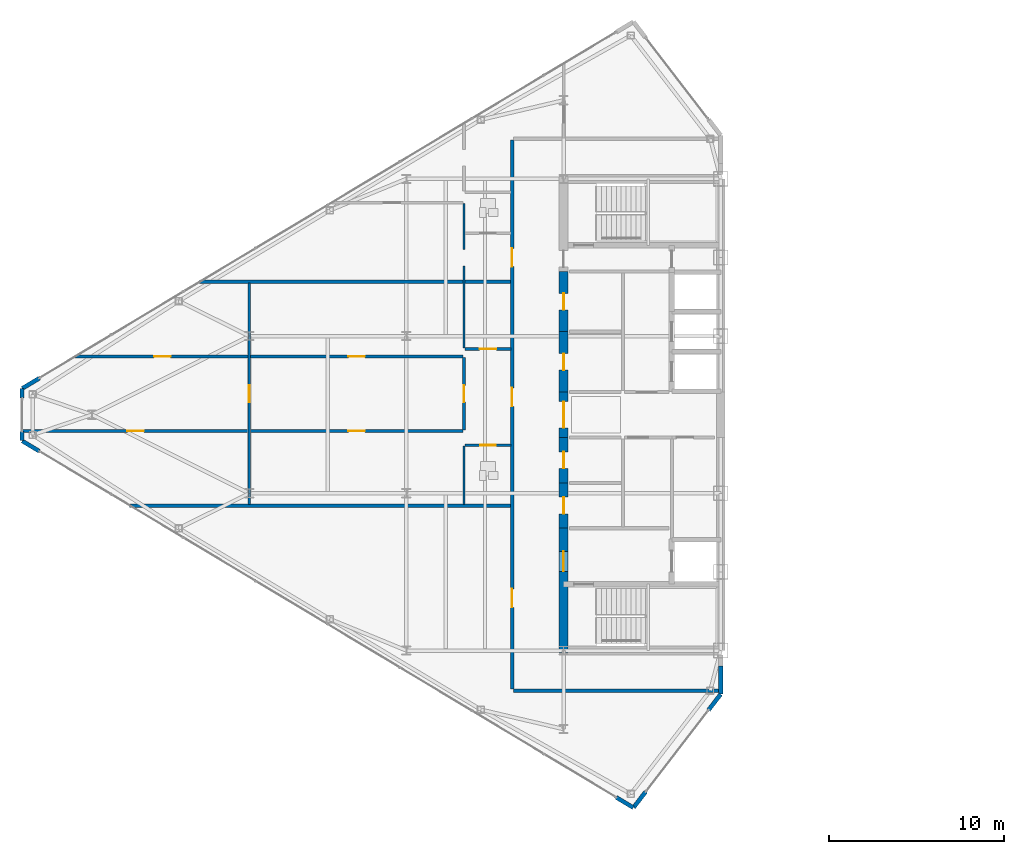
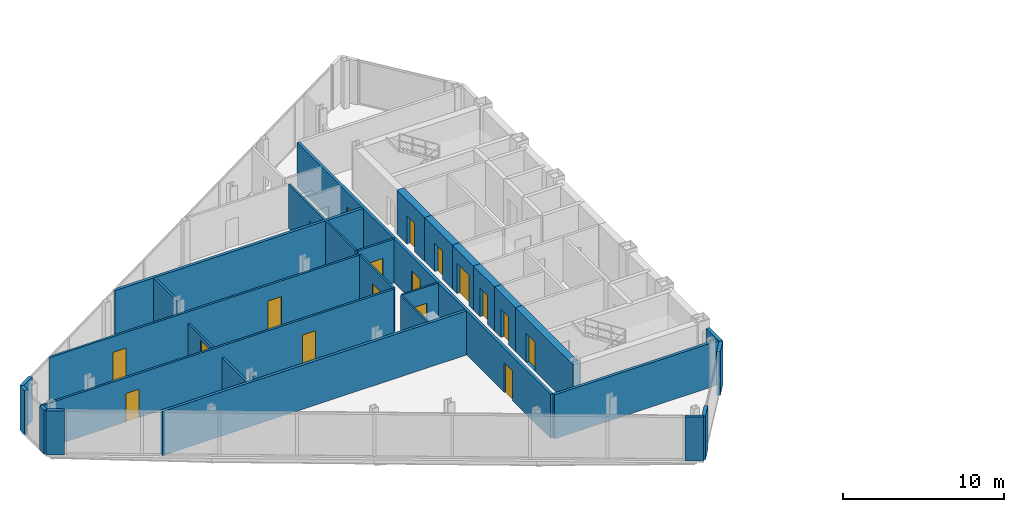
# One storey, part 19 of 26: 28 walls, 17 doors, 18 openings.
"""IFC4 building model written with IfcOpenShell, lengths in metres."""

from ifc_helpers import new_model, si_unit, direction, frame, frame_2d, origin, place, context, subcontext, project, spatial, rectangle, extrude, source, transform, mapped, material, layer, layer_set, type_object, type_shapes, element, fill, save


model = new_model("IFC4")

# Units and contexts
model_context = context("Model", 3, precision=1e-05, world=origin(), true_north=direction((0.0, 1.0)))
body_context = subcontext(model_context, "Body", "Model", "MODEL_VIEW")
ifc_project = project(units=[si_unit("LENGTHUNIT", "METRE"), si_unit("AREAUNIT", "SQUARE_METRE"), si_unit("VOLUMEUNIT", "CUBIC_METRE"), si_unit("PLANEANGLEUNIT", "RADIAN"), si_unit("MASSUNIT", "GRAM", prefix="KILO")], contexts=[model_context])

# Site, building, storey
site_placement = place(None, origin())
site = spatial("IfcSite", under=ifc_project, at=site_placement, CompositionType="ELEMENT")
building_placement = place(site_placement, origin())
building = spatial("IfcBuilding", under=site, at=building_placement, Name="Seokmaru Belvedere", CompositionType="ELEMENT")
storey_placement = place(building_placement, frame((0.0, 0.0, 221.10009765625)))
storey = spatial("IfcBuildingStorey", under=building, at=storey_placement, Name="L59", CompositionType="ELEMENT", Elevation=221.10009765625)

# Wall, openings, doors
ifc_material_1 = material(Name="Fire-Rated Gypsum Shaftwall")
ifc_layer_1 = layer(ifc_material_1, 0.14990234375)
ifc_layer_set_1 = layer_set([ifc_layer_1], Name="Fire-Rated Gypsum Shaftwall")
wall_type_1 = type_object("IfcWallType", Name="Apartment Fire-Acoustic Room Partition 150", PredefinedType="PARTITIONING", material=ifc_layer_set_1)
wall_1_placement = place(storey_placement, frame((-67.534912109375, -0.929931640625, 0.0), z_axis=(0.0, 0.0, 1.0), x_axis=(1.0, 0.0, 0.0)))
wall_1 = element("IfcWall", 1, at=wall_1_placement, inside=storey, type_object=wall_type_1, Name="L59 Interior Partition 008", PredefinedType="PARTITIONING", context=body_context, shape_type="SweptSolid", body=[
    extrude(rectangle(XDim=25.284912109375, YDim=0.14990234375, at=frame_2d((12.642578125, 0.0))), origin(), (0.0, 0.0, 1.0), 3.33984375),
])
opening_1_placement = place(wall_1_placement, frame((18.7099609375, 0.0, 0.0)))
opening_1 = element("IfcOpeningElement", 2, at=opening_1_placement, cuts=wall_1, Name="Opening D05", PredefinedType="OPENING", context=body_context, shape_type="SweptSolid", body=[
    extrude(rectangle(XDim=0.949951171875, YDim=2.14990234375, at=frame_2d((0.47509765625, 1.074951171875))), frame((0.0, 0.0849609375, 0.0), z_axis=(0.0, -1.0, 0.0), x_axis=(1.0, 0.0, 0.0)), (0.0, 0.0, 1.0), 0.169921875),
])
opening_2_placement = place(wall_1_placement, frame((6.06005859375, 0.0, 0.0)))
opening_2 = element("IfcOpeningElement", 3, at=opening_2_placement, cuts=wall_1, Name="Opening D05", PredefinedType="OPENING", context=body_context, shape_type="SweptSolid", body=[
    extrude(rectangle(XDim=0.949951171875, YDim=2.14990234375, at=frame_2d((0.47509765625, 1.074951171875))), frame((0.0, 0.0849609375, 0.0), z_axis=(0.0, -1.0, 0.0), x_axis=(1.0, 0.0, 0.0)), (0.0, 0.0, 1.0), 0.169921875),
])
ifc_material_2 = material(Name="Engineered White Oak Timber", Category="wood")
door_type_1 = type_object("IfcDoorType", Name="Apartment Interior Fire-Rated Oak Door 950x2150", OperationType="NOTDEFINED", PredefinedType="DOOR", material=ifc_material_2)
shared_shape_1 = source(origin(), body_context, "Body", "SweptSolid", [
    extrude(rectangle(XDim=0.949951171875, YDim=2.14990234375, at=frame_2d((0.47509765625, 1.074951171875))), frame((0.0, 0.02490234375, 0.0), z_axis=(0.0, -1.0, 0.0), x_axis=(1.0, 0.0, 0.0)), (0.0, 0.0, 1.0), 0.050048828125),
])
type_shapes(door_type_1, [shared_shape_1])
door_1_placement = place(opening_1_placement, origin())
door_1 = element("IfcDoor", 4, at=door_1_placement, inside=storey, type_object=door_type_1, Name="L59 Interior Door 007", OperationType="SINGLE_SWING_LEFT", OverallHeight=2.14990234375, OverallWidth=0.949951171875, PredefinedType="DOOR", context=body_context, shape_type="MappedRepresentation", body=[
    mapped(shared_shape_1, transform((0.0, 0.0, 0.0), scale=1.0)),
])
fill(opening_1, door_1)
door_2_placement = place(opening_2_placement, origin())
door_2 = element("IfcDoor", 5, at=door_2_placement, inside=storey, type_object=door_type_1, Name="L59 Interior Door 009", OperationType="SINGLE_SWING_RIGHT", OverallHeight=2.14990234375, OverallWidth=0.949951171875, PredefinedType="DOOR", context=body_context, shape_type="MappedRepresentation", body=[
    mapped(shared_shape_1, transform((0.0, 0.0, 0.0), scale=1.0)),
])
fill(opening_2, door_2)

wall_2_placement = place(storey_placement, frame((-64.47998046875, 3.330078125, 0.0), z_axis=(0.0, 0.0, 1.0), x_axis=(1.0, 0.0, 0.0)))
wall_2 = element("IfcWall", 6, at=wall_2_placement, inside=storey, type_object=wall_type_1, Name="L59 Interior Partition 011", PredefinedType="PARTITIONING", context=body_context, shape_type="SweptSolid", body=[
    extrude(rectangle(XDim=22.22998046875, YDim=0.14990234375, at=frame_2d((11.114990234375, 0.0))), origin(), (0.0, 0.0, 1.0), 3.33984375),
])
opening_3_placement = place(wall_2_placement, frame((15.655029296875, 0.0, 0.0)))
opening_3 = element("IfcOpeningElement", 7, at=opening_3_placement, cuts=wall_2, Name="Opening D05", PredefinedType="OPENING", context=body_context, shape_type="SweptSolid", body=[
    extrude(rectangle(XDim=0.949951171875, YDim=2.14990234375, at=frame_2d((0.47509765625, 1.074951171875))), frame((0.0, 0.0849609375, 0.0), z_axis=(0.0, -1.0, 0.0), x_axis=(1.0, 0.0, 0.0)), (0.0, 0.0, 1.0), 0.169921875),
])
opening_4_placement = place(wall_2_placement, frame((4.53271484375, 0.0, 0.0)))
opening_4 = element("IfcOpeningElement", 8, at=opening_4_placement, cuts=wall_2, Name="Opening D05", PredefinedType="OPENING", context=body_context, shape_type="SweptSolid", body=[
    extrude(rectangle(XDim=0.949951171875, YDim=2.14990234375, at=frame_2d((0.47509765625, 1.074951171875))), frame((0.0, 0.0849609375, 0.0), z_axis=(0.0, -1.0, 0.0), x_axis=(1.0, 0.0, 0.0)), (0.0, 0.0, 1.0), 0.169921875),
])
door_3_placement = place(opening_3_placement, origin())
door_3 = element("IfcDoor", 9, at=door_3_placement, inside=storey, type_object=door_type_1, Name="L59 Interior Door 008", OperationType="SINGLE_SWING_RIGHT", OverallHeight=2.14990234375, OverallWidth=0.949951171875, PredefinedType="DOOR", context=body_context, shape_type="MappedRepresentation", body=[
    mapped(shared_shape_1, transform((0.0, 0.0, 0.0), scale=1.0)),
])
fill(opening_3, door_3)
door_4_placement = place(opening_4_placement, origin())
door_4 = element("IfcDoor", 10, at=door_4_placement, inside=storey, type_object=door_type_1, Name="L59 Interior Door 010", OperationType="SINGLE_SWING_RIGHT", OverallHeight=2.14990234375, OverallWidth=0.949951171875, PredefinedType="DOOR", context=body_context, shape_type="MappedRepresentation", body=[
    mapped(shared_shape_1, transform((0.0, 0.0, 0.0), scale=1.0)),
])
fill(opening_4, door_4)

# Wall, opening, door
wall_3_placement = place(storey_placement, frame((-42.14990234375, 3.760009765625, 0.0), z_axis=(0.0, 0.0, 1.0), x_axis=(1.0, 0.0, 0.0)))
wall_3 = element("IfcWall", 11, at=wall_3_placement, inside=storey, type_object=wall_type_1, Name="L59 Interior Partition 012", PredefinedType="PARTITIONING", context=body_context, shape_type="SweptSolid", body=[
    extrude(rectangle(XDim=2.64990234375, YDim=0.14990234375, at=frame_2d((1.324951171875, 0.0))), origin(), (0.0, 0.0, 1.0), 3.33984375),
])
opening_5_placement = place(wall_3_placement, frame((0.85009765625, 0.0, 0.0)))
opening_5 = element("IfcOpeningElement", 12, at=opening_5_placement, cuts=wall_3, Name="Opening D05", PredefinedType="OPENING", context=body_context, shape_type="SweptSolid", body=[
    extrude(rectangle(XDim=0.949951171875, YDim=2.14990234375, at=frame_2d((0.47509765625, 1.074951171875))), frame((0.0, 0.0849609375, 0.0), z_axis=(0.0, -1.0, 0.0), x_axis=(1.0, 0.0, 0.0)), (0.0, 0.0, 1.0), 0.169921875),
])
door_5_placement = place(opening_5_placement, origin())
door_5 = element("IfcDoor", 13, at=door_5_placement, inside=storey, type_object=door_type_1, Name="L59 Interior Door 004", OperationType="SINGLE_SWING_LEFT", OverallHeight=2.14990234375, OverallWidth=0.949951171875, PredefinedType="DOOR", context=body_context, shape_type="MappedRepresentation", body=[
    mapped(shared_shape_1, transform((0.0, 0.0, 0.0), scale=1.0)),
])
fill(opening_5, door_5)

# Wall
wall_4_placement = place(storey_placement, frame((-54.5, -5.14990234375, 0.0), z_axis=(0.0, 0.0, 1.0), x_axis=(0.0, 1.0, 0.0)))
element("IfcWall", 14, at=wall_4_placement, inside=storey, type_object=wall_type_1, Name="L59 Interior Partition 020", PredefinedType="PARTITIONING", context=body_context, shape_type="SweptSolid", body=[
    extrude(rectangle(XDim=0.6298828125, YDim=0.14990234375, at=frame_2d((0.31494140625, 0.0))), origin(), (0.0, 0.0, 1.0), 3.33984375),
])

# Wall, opening, door
wall_5_placement = place(storey_placement, frame((-54.5, -4.52001953125, 0.0), z_axis=(0.0, 0.0, 1.0), x_axis=(0.0, 1.0, 0.0)))
wall_5 = element("IfcWall", 15, at=wall_5_placement, inside=storey, type_object=wall_type_1, Name="L59 Interior Partition 020 Part 2", PredefinedType="PARTITIONING", context=body_context, shape_type="SweptSolid", body=[
    extrude(rectangle(XDim=9.0400390625, YDim=0.14990234375, at=frame_2d((4.52001953125, 0.0))), origin(), (0.0, 0.0, 1.0), 2.43994140625),
])
opening_6_placement = place(wall_5_placement, frame((5.2451171875, 0.0, 0.0)))
opening_6 = element("IfcOpeningElement", 16, at=opening_6_placement, cuts=wall_5, Name="Opening D05", PredefinedType="OPENING", context=body_context, shape_type="SweptSolid", body=[
    extrude(rectangle(XDim=0.949951171875, YDim=2.14990234375, at=frame_2d((0.47509765625, 1.074951171875))), frame((0.0, 0.0849609375, 0.0), z_axis=(0.0, -1.0, 0.0), x_axis=(1.0, 0.0, 0.0)), (0.0, 0.0, 1.0), 0.169921875),
])
door_6_placement = place(opening_6_placement, origin())
door_6 = element("IfcDoor", 17, at=door_6_placement, inside=storey, type_object=door_type_1, Name="L59 Interior Door 006", OperationType="SINGLE_SWING_LEFT", OverallHeight=2.14990234375, OverallWidth=0.949951171875, PredefinedType="DOOR", context=body_context, shape_type="MappedRepresentation", body=[
    mapped(shared_shape_1, transform((0.0, 0.0, 0.0), scale=1.0)),
])
fill(opening_6, door_6)

# Wall
wall_6_placement = place(storey_placement, frame((-54.5, 4.52001953125, 0.0), z_axis=(0.0, 0.0, 1.0), x_axis=(0.0, 1.0, 0.0)))
element("IfcWall", 18, at=wall_6_placement, inside=storey, type_object=wall_type_1, Name="L59 Interior Partition 020 Part 3", PredefinedType="PARTITIONING", context=body_context, shape_type="SweptSolid", body=[
    extrude(rectangle(XDim=3.030029296875, YDim=0.14990234375, at=frame_2d((1.51513671875, 0.0))), origin(), (0.0, 0.0, 1.0), 3.33984375),
])

# Wall, opening, door
wall_7_placement = place(storey_placement, frame((-42.199951171875, -0.883056640625, 0.0), z_axis=(0.0, 0.0, 1.0), x_axis=(0.0, 1.0, 0.0)))
wall_7 = element("IfcWall", 19, at=wall_7_placement, inside=storey, type_object=wall_type_1, Name="L59 Interior Partition 022", PredefinedType="PARTITIONING", context=body_context, shape_type="SweptSolid", body=[
    extrude(rectangle(XDim=4.166015625, YDim=0.14990234375, at=frame_2d((2.0830078125, 0.0))), origin(), (0.0, 0.0, 1.0), 3.33984375),
])
opening_7_placement = place(wall_7_placement, frame((1.60791015625, 0.0, 0.0)))
opening_7 = element("IfcOpeningElement", 20, at=opening_7_placement, cuts=wall_7, Name="Opening D05", PredefinedType="OPENING", context=body_context, shape_type="SweptSolid", body=[
    extrude(rectangle(XDim=0.949951171875, YDim=2.14990234375, at=frame_2d((0.47509765625, 1.074951171875))), frame((0.0, 0.0849609375, 0.0), z_axis=(0.0, -1.0, 0.0), x_axis=(1.0, 0.0, 0.0)), (0.0, 0.0, 1.0), 0.169921875),
])
door_7_placement = place(opening_7_placement, origin())
door_7 = element("IfcDoor", 21, at=door_7_placement, inside=storey, type_object=door_type_1, Name="L59 Interior Door 005", OperationType="SINGLE_SWING_RIGHT", OverallHeight=2.14990234375, OverallWidth=0.949951171875, PredefinedType="DOOR", context=body_context, shape_type="MappedRepresentation", body=[
    mapped(shared_shape_1, transform((0.0, 0.0, 0.0), scale=1.0)),
])
fill(opening_7, door_7)

# Walls
ifc_layer_2 = layer(ifc_material_1, 0.199951171875)
ifc_layer_set_2 = layer_set([ifc_layer_2], Name="Fire-Rated Gypsum Shaftwall")
wall_type_2 = type_object("IfcWallType", Name="Inter-Tenancy Fire Compartment Partition 200", PredefinedType="PARTITIONING", material=ifc_layer_set_2)
wall_8_placement = place(storey_placement, frame((-39.364990234375, -15.800048828125, 0.0), z_axis=(0.0, 0.0, 1.0), x_axis=(1.0, 0.0, 0.0)))
element("IfcWall", 22, at=wall_8_placement, inside=storey, type_object=wall_type_2, Name="L59 Interior Partition 001", PredefinedType="PARTITIONING", context=body_context, shape_type="SweptSolid", body=[
    extrude(rectangle(XDim=11.739990234375, YDim=0.199951171875, at=frame_2d((5.8701171875, 0.0))), origin(), (0.0, 0.0, 1.0), 3.33984375),
])
wall_9_placement = place(storey_placement, frame((-61.343017578125, -5.199951171875, 0.0), z_axis=(0.0, 0.0, 1.0), x_axis=(1.0, 0.0, 0.0)))
element("IfcWall", 23, at=wall_9_placement, inside=storey, type_object=wall_type_2, Name="L59 Interior Partition 004", PredefinedType="PARTITIONING", context=body_context, shape_type="SweptSolid", body=[
    extrude(rectangle(XDim=21.81298828125, YDim=0.199951171875, at=frame_2d((10.906494140625, 0.0))), origin(), (0.0, 0.0, 1.0), 3.33984375),
])
wall_10_placement = place(storey_placement, frame((-57.343017578125, 7.60009765625, 0.0), z_axis=(0.0, 0.0, 1.0), x_axis=(1.0, 0.0, 0.0)))
element("IfcWall", 24, at=wall_10_placement, inside=storey, type_object=wall_type_2, Name="L59 Interior Partition 014", PredefinedType="PARTITIONING", context=body_context, shape_type="SweptSolid", body=[
    extrude(rectangle(XDim=17.81298828125, YDim=0.199951171875, at=frame_2d((8.906494140625, 0.0))), origin(), (0.0, 0.0, 1.0), 3.33984375),
])

# Wall, openings, doors
wall_11_placement = place(storey_placement, frame((-39.449951171875, -15.715087890625, 0.0), z_axis=(0.0, 0.0, 1.0), x_axis=(0.0, 1.0, 0.0)))
wall_11 = element("IfcWall", 25, at=wall_11_placement, inside=storey, type_object=wall_type_2, Name="L59 Interior Partition 025", PredefinedType="PARTITIONING", context=body_context, shape_type="SweptSolid", body=[
    extrude(rectangle(XDim=31.43017578125, YDim=0.199951171875, at=frame_2d((15.715087890625, 0.0))), origin(), (0.0, 0.0, 1.0), 3.33984375),
])
opening_8_placement = place(wall_11_placement, frame((4.68994140625, 0.0, 0.0)))
opening_8 = element("IfcOpeningElement", 26, at=opening_8_placement, cuts=wall_11, Name="Opening D03", PredefinedType="OPENING", context=body_context, shape_type="SweptSolid", body=[
    extrude(rectangle(XDim=1.050048828125, YDim=2.25, at=frame_2d((0.52490234375, 1.125))), frame((0.0, 0.10986328125, 0.0), z_axis=(0.0, -1.0, 0.0), x_axis=(1.0, 0.0, 0.0)), (0.0, 0.0, 1.0), 0.219970703125),
])
opening_9_placement = place(wall_11_placement, frame((16.197998046875, 0.0, 0.0)))
opening_9 = element("IfcOpeningElement", 27, at=opening_9_placement, cuts=wall_11, Name="Opening D03", PredefinedType="OPENING", context=body_context, shape_type="SweptSolid", body=[
    extrude(rectangle(XDim=1.050048828125, YDim=2.25, at=frame_2d((0.52490234375, 1.125))), frame((0.0, 0.10986328125, 0.0), z_axis=(0.0, -1.0, 0.0), x_axis=(1.0, 0.0, 0.0)), (0.0, 0.0, 1.0), 0.219970703125),
])
opening_10_placement = place(wall_11_placement, frame((24.1875, 0.0, 0.0)))
opening_10 = element("IfcOpeningElement", 28, at=opening_10_placement, cuts=wall_11, Name="Opening D03", PredefinedType="OPENING", context=body_context, shape_type="SweptSolid", body=[
    extrude(rectangle(XDim=1.050048828125, YDim=2.25, at=frame_2d((0.52490234375, 1.125))), frame((0.0, 0.10986328125, 0.0), z_axis=(0.0, -1.0, 0.0), x_axis=(1.0, 0.0, 0.0)), (0.0, 0.0, 1.0), 0.219970703125),
])
ifc_material_3 = material(Name="Fire-Rated Steel Leaf", Category="steel")
door_type_2 = type_object("IfcDoorType", Name="Apartment Entrance Fire Door 1050x2250", OperationType="NOTDEFINED", PredefinedType="DOOR", material=ifc_material_3)
shared_shape_2 = source(origin(), body_context, "Body", "SweptSolid", [
    extrude(rectangle(XDim=1.050048828125, YDim=2.25, at=frame_2d((0.52490234375, 1.125))), frame((0.0, 0.02490234375, 0.0), z_axis=(0.0, -1.0, 0.0), x_axis=(1.0, 0.0, 0.0)), (0.0, 0.0, 1.0), 0.050048828125),
])
type_shapes(door_type_2, [shared_shape_2])
door_8_placement = place(opening_8_placement, origin())
door_8 = element("IfcDoor", 29, at=door_8_placement, inside=storey, type_object=door_type_2, Name="L59 Interior Door 001", OperationType="SINGLE_SWING_RIGHT", OverallHeight=2.25, OverallWidth=1.050048828125, PredefinedType="DOOR", context=body_context, shape_type="MappedRepresentation", body=[
    mapped(shared_shape_2, transform((0.0, 0.0, 0.0), scale=1.0)),
])
fill(opening_8, door_8)
door_9_placement = place(opening_9_placement, origin())
door_9 = element("IfcDoor", 30, at=door_9_placement, inside=storey, type_object=door_type_2, Name="L59 Interior Door 002", OperationType="SINGLE_SWING_LEFT", OverallHeight=2.25, OverallWidth=1.050048828125, PredefinedType="DOOR", context=body_context, shape_type="MappedRepresentation", body=[
    mapped(shared_shape_2, transform((0.0, 0.0, 0.0), scale=1.0)),
])
fill(opening_9, door_9)
door_10_placement = place(opening_10_placement, origin())
door_10 = element("IfcDoor", 31, at=door_10_placement, inside=storey, type_object=door_type_2, Name="L59 Interior Door 011", OperationType="SINGLE_SWING_RIGHT", OverallHeight=2.25, OverallWidth=1.050048828125, PredefinedType="DOOR", context=body_context, shape_type="MappedRepresentation", body=[
    mapped(shared_shape_2, transform((0.0, 0.0, 0.0), scale=1.0)),
])
fill(opening_10, door_10)

# Wall, opening, door
ifc_layer_3 = layer(ifc_material_1, 0.1298828125)
ifc_layer_set_3 = layer_set([ifc_layer_3], Name="Fire-Rated Gypsum Shaftwall")
wall_type_3 = type_object("IfcWallType", Name="Moisture-Resistant Fire-Rated Bathroom Partition 130", PredefinedType="PARTITIONING", material=ifc_layer_set_3)
wall_12_placement = place(storey_placement, frame((-42.14990234375, -1.75, 0.0), z_axis=(0.0, 0.0, 1.0), x_axis=(1.0, 0.0, 0.0)))
wall_12 = element("IfcWall", 32, at=wall_12_placement, inside=storey, type_object=wall_type_3, Name="L59 Interior Partition 007", PredefinedType="PARTITIONING", context=body_context, shape_type="SweptSolid", body=[
    extrude(rectangle(XDim=2.64990234375, YDim=0.1298828125, at=frame_2d((1.324951171875, 0.0))), origin(), (0.0, 0.0, 1.0), 3.33984375),
])
opening_11_placement = place(wall_12_placement, frame((0.885009765625, 0.0, 0.0)))
opening_11 = element("IfcOpeningElement", 33, at=opening_11_placement, cuts=wall_12, Name="Opening D06", PredefinedType="OPENING", context=body_context, shape_type="SweptSolid", body=[
    extrude(rectangle(XDim=0.8798828125, YDim=2.10009765625, at=frame_2d((0.43994140625, 1.050048828125))), frame((0.0, 0.074951171875, 0.0), z_axis=(0.0, -1.0, 0.0), x_axis=(1.0, 0.0, 0.0)), (0.0, 0.0, 1.0), 0.14990234375),
])
door_type_3 = type_object("IfcDoorType", Name="Bathroom and Restroom Fire-Rated Door 880x2100", OperationType="NOTDEFINED", PredefinedType="DOOR", material=ifc_material_2)
shared_shape_3 = source(origin(), body_context, "Body", "SweptSolid", [
    extrude(rectangle(XDim=0.8798828125, YDim=2.10009765625, at=frame_2d((0.43994140625, 1.050048828125))), frame((0.0, 0.02490234375, 0.0), z_axis=(0.0, -1.0, 0.0), x_axis=(1.0, 0.0, 0.0)), (0.0, 0.0, 1.0), 0.050048828125),
])
type_shapes(door_type_3, [shared_shape_3])
door_11_placement = place(opening_11_placement, origin())
door_11 = element("IfcDoor", 34, at=door_11_placement, inside=storey, type_object=door_type_3, Name="L59 Interior Door 003", OperationType="SINGLE_SWING_LEFT", OverallHeight=2.10009765625, OverallWidth=0.8798828125, PredefinedType="DOOR", context=body_context, shape_type="MappedRepresentation", body=[
    mapped(shared_shape_3, transform((0.0, 0.0, 0.0), scale=1.0)),
])
fill(opening_11, door_11)

# Wall
wall_13_placement = place(storey_placement, frame((-42.199951171875, -5.14990234375, 0.0), z_axis=(0.0, 0.0, 1.0), x_axis=(0.0, 1.0, 0.0)))
element("IfcWall", 35, at=wall_13_placement, inside=storey, type_object=wall_type_3, Name="L59 Interior Partition 021", PredefinedType="PARTITIONING", context=body_context, shape_type="SweptSolid", body=[
    extrude(rectangle(XDim=3.35400390625, YDim=0.1298828125, at=frame_2d((1.677001953125, 0.0))), origin(), (0.0, 0.0, 1.0), 3.33984375),
])

# Wall, opening
wall_14_placement = place(storey_placement, frame((-42.199951171875, 3.81201171875, 0.0), z_axis=(0.0, 0.0, 1.0), x_axis=(0.0, 1.0, 0.0)))
wall_14 = element("IfcWall", 36, at=wall_14_placement, inside=storey, type_object=wall_type_3, Name="L59 Interior Partition 023", PredefinedType="PARTITIONING", context=body_context, shape_type="SweptSolid", body=[
    extrude(rectangle(XDim=8.278076171875, YDim=0.1298828125, at=frame_2d((4.13916015625, 0.0))), origin(), (0.0, 0.0, 1.0), 3.33984375),
])
opening_12_placement = place(wall_14_placement, frame((4.71044921875, 0.0, 0.0)))
element("IfcOpeningElement", 37, at=opening_12_placement, cuts=wall_14, Name="L59 Cased Opening 013", PredefinedType="OPENING", context=body_context, shape_type="SweptSolid", body=[
    extrude(rectangle(XDim=0.949951171875, YDim=2.14990234375, at=frame_2d((0.47509765625, 1.074951171875))), frame((0.0, 0.074951171875, 0.0), z_axis=(0.0, -1.0, 0.0), x_axis=(1.0, 0.0, 0.0)), (0.0, 0.0, 1.0), 0.14990234375),
])

# Walls
ifc_material_4 = material(Name="Anodised Bronze Aluminium", Category="aluminium")
ifc_layer_4 = layer(ifc_material_4, 0.239990234375)
ifc_layer_set_4 = layer_set([ifc_layer_4], Name="Anodised Bronze Aluminium")
wall_type_4 = type_object("IfcWallType", Name="Tower Corner Spandrel Closure Wall 240", PredefinedType="SOLIDWALL", material=ifc_layer_set_4)
wall_15_placement = place(storey_placement, frame((-27.5, -15.97998046875, 0.0), z_axis=(0.0, 0.0, 1.0), x_axis=(0.0, 1.0, 0.0)))
element("IfcWall", 38, at=wall_15_placement, inside=storey, type_object=wall_type_4, Name="L59 W Shoulder Closure Wall 1", PredefinedType="SOLIDWALL", context=body_context, shape_type="SweptSolid", body=[
    extrude(rectangle(XDim=1.605224609375, YDim=0.239990234375, at=frame_2d((0.802734375, 0.0))), origin(), (0.0, 0.0, 1.0), 3.33984375),
])
wall_16_placement = place(storey_placement, frame((-66.513916015625, 2.091796875, 0.0), z_axis=(0.0, 0.0, 1.0), x_axis=(-0.85743623509, -0.514590228002, 0.0)))
element("IfcWall", 39, at=wall_16_placement, inside=storey, type_object=wall_type_4, Name="L59 W Corner Closure Pier 3B", PredefinedType="SOLIDWALL", context=body_context, shape_type="SweptSolid", body=[
    extrude(rectangle(XDim=1.14013671875, YDim=0.239990234375, at=frame_2d((0.570068359375, 0.0))), origin(), (0.0, 0.0, 1.0), 3.33984375),
])
for number, where, z_axis, x_axis, name in (
    (40, (-67.5, 1.489990234375, 0.0), (0.0, 0.0, 1.0), (0.0, -1.0, 0.0), "L59 W Apex Closure Pier 4A"),
    (41, (-67.5, -0.949951171875, 0.0), (0.0, 0.0, 1.0), (0.0, -1.0, 0.0), "L59 W Apex Closure Pier 4B"),
):
    element("IfcWall", number, at=place(storey_placement, frame(where, z_axis=z_axis, x_axis=x_axis)), inside=storey, type_object=wall_type_4, Name=name, PredefinedType="SOLIDWALL", context=body_context, shape_type="SweptSolid", body=[
        extrude(rectangle(XDim=0.5400390625, YDim=0.239990234375, at=frame_2d((0.27001953125, 0.0))), origin(), (0.0, 0.0, 1.0), 3.33984375),
    ])
for number, where, z_axis, x_axis, name in (
    (42, (-67.491455078125, -1.505126953125, 0.0), (0.0, 0.0, 1.0), (0.85743623509, -0.514590228002, 0.0), "L59 W Corner Closure Pier 5A"),
    (43, (-33.486083984375, -21.908203125, 0.0), (0.0, 0.0, 1.0), (0.85743623509, -0.514590228002, 0.0), "L59 W Corner Closure Pier 5B"),
    (44, (-32.493896484375, -22.4921875, 0.0), (0.0, 0.0, 1.0), (0.609617623633, 0.792695624408, 0.0), "L59 W Corner Closure Pier 6A"),
    (45, (-28.201171875, -16.91162109375, 0.0), (0.0, 0.0, 1.0), (0.609617623633, 0.792695624408, 0.0), "L59 W Corner Closure Pier 6B"),
):
    element("IfcWall", number, at=place(storey_placement, frame(where, z_axis=z_axis, x_axis=x_axis)), inside=storey, type_object=wall_type_4, Name=name, PredefinedType="SOLIDWALL", context=body_context, shape_type="SweptSolid", body=[
        extrude(rectangle(XDim=1.14013671875, YDim=0.239990234375, at=frame_2d((0.570068359375, 0.0))), origin(), (0.0, 0.0, 1.0), 3.33984375),
    ])

# Wall, opening, door
ifc_material_5 = material(Name="Concrete C50 (50 MPa)", Category="concrete")
ifc_layer_5 = layer(ifc_material_5, 0.5)
ifc_layer_set_5 = layer_set([ifc_layer_5], Name="Concrete C50 (50 MPa)")
wall_type_5 = type_object("IfcWallType", Name="Upper Tower Reinforced Concrete Core Wall 500", PredefinedType="SHEAR", material=ifc_layer_set_5)
wall_17_placement = place(storey_placement, frame((-36.5, -13.64990234375, 0.0), z_axis=(0.0, 0.0, 1.0), x_axis=(0.0, 1.0, 0.0)))
wall_17 = element("IfcWall", 46, at=wall_17_placement, inside=storey, type_object=wall_type_5, Name="L59 West West Core Wall FF", PredefinedType="SHEAR", context=body_context, shape_type="SweptSolid", body=[
    extrude(rectangle(XDim=7.14990234375, YDim=0.5, at=frame_2d((3.574951171875, 0.0))), origin(), (0.0, 0.0, 1.0), 3.33984375),
])
opening_13_placement = place(wall_17_placement, frame((4.675048828125, 0.0, 0.0)))
opening_13 = element("IfcOpeningElement", 47, at=opening_13_placement, cuts=wall_17, Name="Opening D02", PredefinedType="OPENING", context=body_context, shape_type="SweptSolid", body=[
    extrude(rectangle(XDim=1.14990234375, YDim=2.199951171875, at=frame_2d((0.574951171875, 1.10009765625))), frame((0.0, 0.260009765625, 0.0), z_axis=(0.0, -1.0, 0.0), x_axis=(1.0, 0.0, 0.0)), (0.0, 0.0, 1.0), 0.52001953125),
])
door_type_4 = type_object("IfcDoorType", Name="Lobby and Vestibule Fire Door 1150x2200", OperationType="NOTDEFINED", PredefinedType="DOOR", material=ifc_material_3)
shared_shape_4 = source(origin(), body_context, "Body", "SweptSolid", [
    extrude(rectangle(XDim=1.14990234375, YDim=2.199951171875, at=frame_2d((0.574951171875, 1.10009765625))), frame((0.0, 0.02490234375, 0.0), z_axis=(0.0, -1.0, 0.0), x_axis=(1.0, 0.0, 0.0)), (0.0, 0.0, 1.0), 0.050048828125),
])
type_shapes(door_type_4, [shared_shape_4])
door_12_placement = place(opening_13_placement, frame((1.14990234375, 0.0, 0.0), z_axis=(0.0, 0.0, 1.0), x_axis=(-1.0, 0.0, 0.0)))
door_12 = element("IfcDoor", 48, at=door_12_placement, inside=storey, type_object=door_type_4, Name="L59 West Firefighting Lobby Door", OperationType="SINGLE_SWING_LEFT", OverallHeight=2.199951171875, OverallWidth=1.14990234375, PredefinedType="DOOR", context=body_context, shape_type="MappedRepresentation", body=[
    mapped(shared_shape_4, transform((0.0, 0.0, 0.0), scale=1.0)),
])
fill(opening_13, door_12)

wall_18_placement = place(storey_placement, frame((-36.5, -1.300048828125, 0.0), z_axis=(0.0, 0.0, 1.0), x_axis=(0.0, 1.0, 0.0)))
wall_18 = element("IfcWall", 49, at=wall_18_placement, inside=storey, type_object=wall_type_5, Name="L59 West West Core Wall FOY", PredefinedType="SHEAR", context=body_context, shape_type="SweptSolid", body=[
    extrude(rectangle(XDim=2.60009765625, YDim=0.5, at=frame_2d((1.300048828125, 0.0))), origin(), (0.0, 0.0, 1.0), 3.33984375),
])
opening_14_placement = place(wall_18_placement, frame((0.550048828125, 0.0, 0.0)))
opening_14 = element("IfcOpeningElement", 50, at=opening_14_placement, cuts=wall_18, Name="Opening D08", PredefinedType="OPENING", context=body_context, shape_type="SweptSolid", body=[
    extrude(rectangle(XDim=1.5, YDim=2.300048828125, at=frame_2d((0.75, 1.14990234375))), frame((0.0, 0.260009765625, 0.0), z_axis=(0.0, -1.0, 0.0), x_axis=(1.0, 0.0, 0.0)), (0.0, 0.0, 1.0), 0.52001953125),
])
door_type_5 = type_object("IfcDoorType", Name="Cross-Corridor Compartment Double Fire Door 1500x2300", OperationType="DOUBLE_SWING_LEFT", PredefinedType="DOOR", material=ifc_material_3)
shared_shape_5 = source(origin(), body_context, "Body", "SweptSolid", [
    extrude(rectangle(XDim=1.5, YDim=2.300048828125, at=frame_2d((0.75, 1.14990234375))), frame((0.0, 0.02490234375, 0.0), z_axis=(0.0, -1.0, 0.0), x_axis=(1.0, 0.0, 0.0)), (0.0, 0.0, 1.0), 0.050048828125),
])
type_shapes(door_type_5, [shared_shape_5])
door_13_placement = place(opening_14_placement, origin())
door_13 = element("IfcDoor", 51, at=door_13_placement, inside=storey, type_object=door_type_5, Name="L59 West Core Foyer Compartment Door", OperationType="DOUBLE_SWING_LEFT", OverallHeight=2.300048828125, OverallWidth=1.5, PredefinedType="DOOR", context=body_context, shape_type="MappedRepresentation", body=[
    mapped(shared_shape_5, transform((0.0, 0.0, 0.0), scale=1.0)),
])
fill(opening_14, door_13)

wall_19_placement = place(storey_placement, frame((-36.5, -6.5, 0.0), z_axis=(0.0, 0.0, 1.0), x_axis=(0.0, 1.0, 0.0)))
wall_19 = element("IfcWall", 52, at=wall_19_placement, inside=storey, type_object=wall_type_5, Name="L59 West West Core Wall CS1", PredefinedType="SHEAR", context=body_context, shape_type="SweptSolid", body=[
    extrude(rectangle(XDim=2.60009765625, YDim=0.5, at=frame_2d((1.300048828125, 0.0))), origin(), (0.0, 0.0, 1.0), 3.33984375),
])
opening_15_placement = place(wall_19_placement, frame((0.824951171875, 0.0, 0.0)))
opening_15 = element("IfcOpeningElement", 53, at=opening_15_placement, cuts=wall_19, Name="Opening D04", PredefinedType="OPENING", context=body_context, shape_type="SweptSolid", body=[
    extrude(rectangle(XDim=0.949951171875, YDim=2.14990234375, at=frame_2d((0.47509765625, 1.074951171875))), frame((0.0, 0.260009765625, 0.0), z_axis=(0.0, -1.0, 0.0), x_axis=(1.0, 0.0, 0.0)), (0.0, 0.0, 1.0), 0.52001953125),
])
door_type_6 = type_object("IfcDoorType", Name="Core Service Room Fire Door 950x2150", OperationType="NOTDEFINED", PredefinedType="DOOR", material=ifc_material_3)
shared_shape_6 = source(origin(), body_context, "Body", "SweptSolid", [
    extrude(rectangle(XDim=0.949951171875, YDim=2.14990234375, at=frame_2d((0.47509765625, 1.074951171875))), frame((0.0, 0.02490234375, 0.0), z_axis=(0.0, -1.0, 0.0), x_axis=(1.0, 0.0, 0.0)), (0.0, 0.0, 1.0), 0.050048828125),
])
type_shapes(door_type_6, [shared_shape_6])
door_14_placement = place(opening_15_placement, origin())
door_14 = element("IfcDoor", 54, at=door_14_placement, inside=storey, type_object=door_type_6, Name="L59 West Core Service Room Door 1", OperationType="SINGLE_SWING_LEFT", OverallHeight=2.14990234375, OverallWidth=0.949951171875, PredefinedType="DOOR", context=body_context, shape_type="MappedRepresentation", body=[
    mapped(shared_shape_6, transform((0.0, 0.0, 0.0), scale=1.0)),
])
fill(opening_15, door_14)

wall_20_placement = place(storey_placement, frame((-36.5, -3.89990234375, 0.0), z_axis=(0.0, 0.0, 1.0), x_axis=(0.0, 1.0, 0.0)))
wall_20 = element("IfcWall", 55, at=wall_20_placement, inside=storey, type_object=wall_type_5, Name="L59 West West Core Wall CS2", PredefinedType="SHEAR", context=body_context, shape_type="SweptSolid", body=[
    extrude(rectangle(XDim=2.599853515625, YDim=0.5, at=frame_2d((1.2998046875, 0.0))), origin(), (0.0, 0.0, 1.0), 3.33984375),
])
opening_16_placement = place(wall_20_placement, frame((0.824951171875, 0.0, 0.0)))
opening_16 = element("IfcOpeningElement", 56, at=opening_16_placement, cuts=wall_20, Name="Opening D04", PredefinedType="OPENING", context=body_context, shape_type="SweptSolid", body=[
    extrude(rectangle(XDim=0.949951171875, YDim=2.14990234375, at=frame_2d((0.47509765625, 1.074951171875))), frame((0.0, 0.260009765625, 0.0), z_axis=(0.0, -1.0, 0.0), x_axis=(1.0, 0.0, 0.0)), (0.0, 0.0, 1.0), 0.52001953125),
])
door_15_placement = place(opening_16_placement, origin())
door_15 = element("IfcDoor", 57, at=door_15_placement, inside=storey, type_object=door_type_6, Name="L59 West Core Service Room Door 2", OperationType="SINGLE_SWING_RIGHT", OverallHeight=2.14990234375, OverallWidth=0.949951171875, PredefinedType="DOOR", context=body_context, shape_type="MappedRepresentation", body=[
    mapped(shared_shape_6, transform((0.0, 0.0, 0.0), scale=1.0)),
])
fill(opening_16, door_15)

wall_21_placement = place(storey_placement, frame((-36.5, 1.300048828125, 0.0), z_axis=(0.0, 0.0, 1.0), x_axis=(0.0, 1.0, 0.0)))
wall_21 = element("IfcWall", 58, at=wall_21_placement, inside=storey, type_object=wall_type_5, Name="L59 West West Core Wall CS3", PredefinedType="SHEAR", context=body_context, shape_type="SweptSolid", body=[
    extrude(rectangle(XDim=3.449951171875, YDim=0.5, at=frame_2d((1.72509765625, 0.0))), origin(), (0.0, 0.0, 1.0), 3.33984375),
])
opening_17_placement = place(wall_21_placement, frame((1.25, 0.0, 0.0)))
opening_17 = element("IfcOpeningElement", 59, at=opening_17_placement, cuts=wall_21, Name="Opening D04", PredefinedType="OPENING", context=body_context, shape_type="SweptSolid", body=[
    extrude(rectangle(XDim=0.949951171875, YDim=2.14990234375, at=frame_2d((0.47509765625, 1.074951171875))), frame((0.0, 0.260009765625, 0.0), z_axis=(0.0, -1.0, 0.0), x_axis=(1.0, 0.0, 0.0)), (0.0, 0.0, 1.0), 0.52001953125),
])
door_16_placement = place(opening_17_placement, origin())
door_16 = element("IfcDoor", 60, at=door_16_placement, inside=storey, type_object=door_type_6, Name="L59 West Core Service Room Door 3", OperationType="SINGLE_SWING_LEFT", OverallHeight=2.14990234375, OverallWidth=0.949951171875, PredefinedType="DOOR", context=body_context, shape_type="MappedRepresentation", body=[
    mapped(shared_shape_6, transform((0.0, 0.0, 0.0), scale=1.0)),
])
fill(opening_17, door_16)

wall_22_placement = place(storey_placement, frame((-36.5, 4.75, 0.0), z_axis=(0.0, 0.0, 1.0), x_axis=(0.0, 1.0, 0.0)))
wall_22 = element("IfcWall", 61, at=wall_22_placement, inside=storey, type_object=wall_type_5, Name="L59 West West Core Wall CS4", PredefinedType="SHEAR", context=body_context, shape_type="SweptSolid", body=[
    extrude(rectangle(XDim=3.449951171875, YDim=0.5, at=frame_2d((1.72509765625, 0.0))), origin(), (0.0, 0.0, 1.0), 3.33984375),
])
opening_18_placement = place(wall_22_placement, frame((1.25, 0.0, 0.0)))
opening_18 = element("IfcOpeningElement", 62, at=opening_18_placement, cuts=wall_22, Name="Opening D04", PredefinedType="OPENING", context=body_context, shape_type="SweptSolid", body=[
    extrude(rectangle(XDim=0.949951171875, YDim=2.14990234375, at=frame_2d((0.47509765625, 1.074951171875))), frame((0.0, 0.260009765625, 0.0), z_axis=(0.0, -1.0, 0.0), x_axis=(1.0, 0.0, 0.0)), (0.0, 0.0, 1.0), 0.52001953125),
])
door_17_placement = place(opening_18_placement, origin())
door_17 = element("IfcDoor", 63, at=door_17_placement, inside=storey, type_object=door_type_6, Name="L59 West Core Service Room Door 4", OperationType="SINGLE_SWING_RIGHT", OverallHeight=2.14990234375, OverallWidth=0.949951171875, PredefinedType="DOOR", context=body_context, shape_type="MappedRepresentation", body=[
    mapped(shared_shape_6, transform((0.0, 0.0, 0.0), scale=1.0)),
])
fill(opening_18, door_17)

save(model, "model.ifc")
